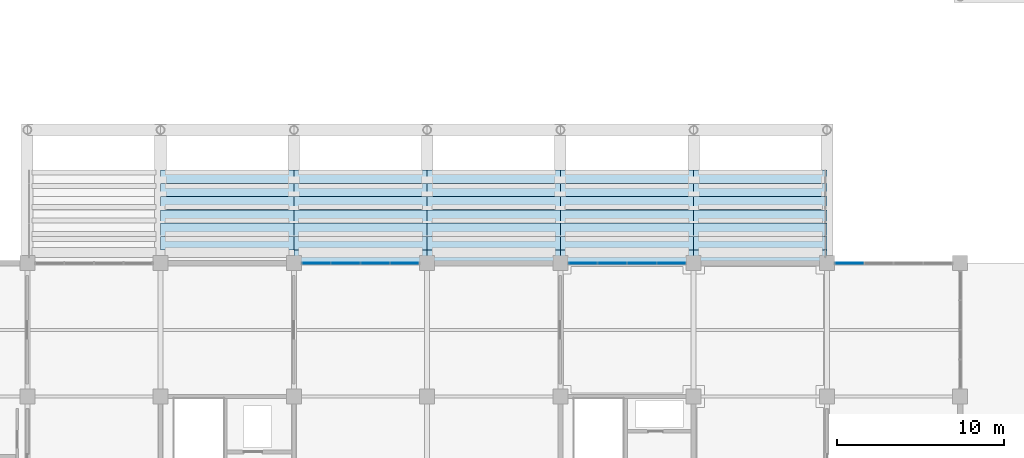
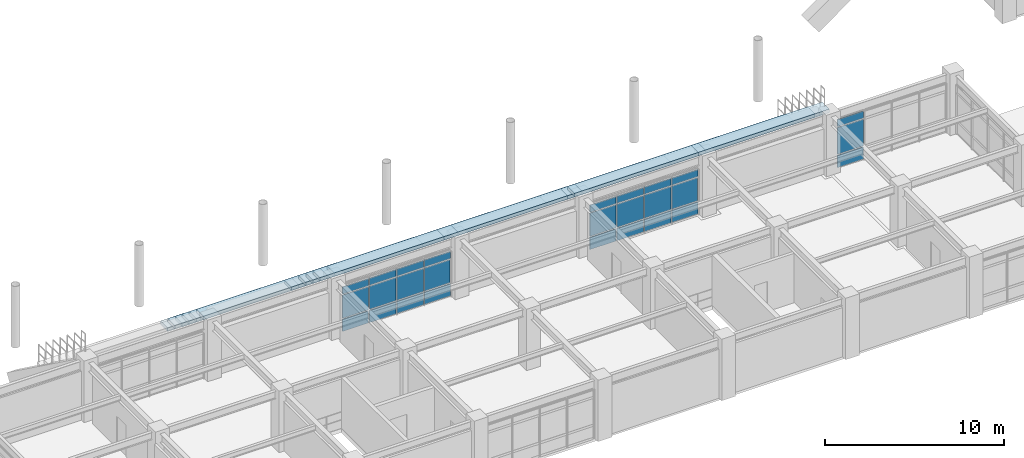
# One storey, part 67 of 118: 34 slabs, 27 plates, 3 elements without a shape of their own.
"""IFC4 building model written with IfcOpenShell, lengths in metres."""

from ifc_helpers import new_model, si_unit, direction, frame, origin, origin_2d, place, context, subcontext, project, spatial, polyline, rectangle, outline, extrude, material, layer, layer_set, type_object, element, aggregate, save


model = new_model("IFC4")

# Units and contexts
model_context = context("Model", 3, precision=1e-05, world=origin(), true_north=direction((0.0, 1.0)))
body_context = subcontext(model_context, "Body", "Model", "MODEL_VIEW")
ifc_project = project(units=[si_unit("LENGTHUNIT", "METRE"), si_unit("AREAUNIT", "SQUARE_METRE"), si_unit("VOLUMEUNIT", "CUBIC_METRE"), si_unit("PLANEANGLEUNIT", "RADIAN"), si_unit("MASSUNIT", "GRAM", prefix="KILO")], contexts=[model_context])

# Site, building, storey
site_placement = place(None, origin())
site = spatial("IfcSite", under=ifc_project, at=site_placement, CompositionType="ELEMENT")
building_placement = place(site_placement, origin())
building = spatial("IfcBuilding", under=site, at=building_placement, Name="Haebicheon Civic Stadium", CompositionType="ELEMENT")
storey_placement = place(building_placement, frame((0.0, 0.0, 14.39990234375)))
storey = spatial("IfcBuildingStorey", under=building, at=storey_placement, Name="L04", CompositionType="ELEMENT", Elevation=14.39990234375)

# Curtain wall, plates
ifc_material_1 = material(Name="Anodised aluminium and laminated glass", Category="aluminium")
ifc_layer_1 = layer(ifc_material_1, 0.179931640625, Name="Anodised aluminium and laminated glass")
ifc_layer_set_1 = layer_set([ifc_layer_1], Name="Anodised aluminium and laminated glass")
curtain_wall_type_1 = type_object("IfcCurtainWallType", Name="CW-7100x3100", PredefinedType="NOTDEFINED", material=ifc_layer_set_1)
curtain_wall_1_placement = place(storey_placement, origin())
curtain_wall_1 = element("IfcCurtainWall", 1, at=curtain_wall_1_placement, inside=storey, type_object=curtain_wall_type_1, material=ifc_layer_set_1, Name="L04 unitised curtain wall 133", PredefinedType="NOTDEFINED")
ifc_material_2 = material(Name="Double low-e acoustic laminated glass", Category="glass")
ifc_layer_2 = layer(ifc_material_2, 0.035888671875, Name="Double low-e acoustic laminated glass")
ifc_layer_set_2 = layer_set([ifc_layer_2], Name="Double low-e acoustic laminated glass")
plate_type_1 = type_object("IfcPlateType", Name="CWP-GLZ-36", PredefinedType="CURTAIN_PANEL", material=ifc_layer_set_2)
plate_1_placement = place(storey_placement, frame((97.35498046875, 32.0, 0.93505859375), z_axis=(0.0, 0.0, 1.0), x_axis=(1.0, 0.0, 0.0)))
plate_1 = element("IfcPlate", 2, at=plate_1_placement, type_object=plate_type_1, material=ifc_layer_set_2, Name="CW-L04-133 vision panel 1.2", PredefinedType="CURTAIN_PANEL", context=body_context, shape_type="SweptSolid", body=[
    extrude(rectangle(XDim=1.669921875, YDim=0.035888671875, at=origin_2d()), origin(), (0.0, 0.0, 1.0), 1.580078125),
])
plate_2_placement = place(storey_placement, frame((99.112060546875, 32.0, 0.93505859375), z_axis=(0.0, 0.0, 1.0), x_axis=(1.0, 0.0, 0.0)))
plate_2 = element("IfcPlate", 3, at=plate_2_placement, type_object=plate_type_1, material=ifc_layer_set_2, Name="CW-L04-133 vision panel 2.2", PredefinedType="CURTAIN_PANEL", context=body_context, shape_type="SweptSolid", body=[
    extrude(rectangle(XDim=1.705078125, YDim=0.035888671875, at=origin_2d()), origin(), (0.0, 0.0, 1.0), 1.580078125),
])
plate_3_placement = place(storey_placement, frame((100.887939453125, 32.0, 0.93505859375), z_axis=(0.0, 0.0, 1.0), x_axis=(1.0, 0.0, 0.0)))
plate_3 = element("IfcPlate", 4, at=plate_3_placement, type_object=plate_type_1, material=ifc_layer_set_2, Name="CW-L04-133 vision panel 3.2", PredefinedType="CURTAIN_PANEL", context=body_context, shape_type="SweptSolid", body=[
    extrude(rectangle(XDim=1.705078125, YDim=0.035888671875, at=origin_2d()), origin(), (0.0, 0.0, 1.0), 1.580078125),
])
plate_4_placement = place(storey_placement, frame((102.64501953125, 32.0, 0.93505859375), z_axis=(0.0, 0.0, 1.0), x_axis=(1.0, 0.0, 0.0)))
plate_4 = element("IfcPlate", 5, at=plate_4_placement, type_object=plate_type_1, material=ifc_layer_set_2, Name="CW-L04-133 vision panel 4.2", PredefinedType="CURTAIN_PANEL", context=body_context, shape_type="SweptSolid", body=[
    extrude(rectangle(XDim=1.669921875, YDim=0.035888671875, at=origin_2d()), origin(), (0.0, 0.0, 1.0), 1.580078125),
])

curtain_wall_2_placement = place(storey_placement, origin())
curtain_wall_2 = element("IfcCurtainWall", 6, at=curtain_wall_2_placement, inside=storey, type_object=curtain_wall_type_1, material=ifc_layer_set_1, Name="L04 unitised curtain wall 136", PredefinedType="NOTDEFINED")
plate_5_placement = place(storey_placement, frame((113.35498046875, 32.0, 0.93505859375), z_axis=(0.0, 0.0, 1.0), x_axis=(1.0, 0.0, 0.0)))
plate_5 = element("IfcPlate", 7, at=plate_5_placement, type_object=plate_type_1, material=ifc_layer_set_2, Name="CW-L04-136 vision panel 1.2", PredefinedType="CURTAIN_PANEL", context=body_context, shape_type="SweptSolid", body=[
    extrude(rectangle(XDim=1.669921875, YDim=0.035888671875, at=origin_2d()), origin(), (0.0, 0.0, 1.0), 1.580078125),
])
plate_6_placement = place(storey_placement, frame((115.112060546875, 32.0, 0.93505859375), z_axis=(0.0, 0.0, 1.0), x_axis=(1.0, 0.0, 0.0)))
plate_6 = element("IfcPlate", 8, at=plate_6_placement, type_object=plate_type_1, material=ifc_layer_set_2, Name="CW-L04-136 vision panel 2.2", PredefinedType="CURTAIN_PANEL", context=body_context, shape_type="SweptSolid", body=[
    extrude(rectangle(XDim=1.705078125, YDim=0.035888671875, at=origin_2d()), origin(), (0.0, 0.0, 1.0), 1.580078125),
])
plate_7_placement = place(storey_placement, frame((116.887939453125, 32.0, 0.93505859375), z_axis=(0.0, 0.0, 1.0), x_axis=(1.0, 0.0, 0.0)))
plate_7 = element("IfcPlate", 9, at=plate_7_placement, type_object=plate_type_1, material=ifc_layer_set_2, Name="CW-L04-136 vision panel 3.2", PredefinedType="CURTAIN_PANEL", context=body_context, shape_type="SweptSolid", body=[
    extrude(rectangle(XDim=1.705078125, YDim=0.035888671875, at=origin_2d()), origin(), (0.0, 0.0, 1.0), 1.580078125),
])
plate_8_placement = place(storey_placement, frame((118.64501953125, 32.0, 0.93505859375), z_axis=(0.0, 0.0, 1.0), x_axis=(1.0, 0.0, 0.0)))
plate_8 = element("IfcPlate", 10, at=plate_8_placement, type_object=plate_type_1, material=ifc_layer_set_2, Name="CW-L04-136 vision panel 4.2", PredefinedType="CURTAIN_PANEL", context=body_context, shape_type="SweptSolid", body=[
    extrude(rectangle(XDim=1.669921875, YDim=0.035888671875, at=origin_2d()), origin(), (0.0, 0.0, 1.0), 1.580078125),
])

# Curtain wall, plate
ifc_material_3 = material(Name="Anodised aluminium and laminated glass", Category="aluminium")
ifc_layer_3 = layer(ifc_material_3, 0.179931640625, Name="Anodised aluminium and laminated glass")
ifc_layer_set_3 = layer_set([ifc_layer_3], Name="Anodised aluminium and laminated glass")
curtain_wall_type_2 = type_object("IfcCurtainWallType", Name="CW-7100x3346", PredefinedType="NOTDEFINED", material=ifc_layer_set_3)
curtain_wall_3_placement = place(storey_placement, origin())
curtain_wall_3 = element("IfcCurtainWall", 11, at=curtain_wall_3_placement, inside=storey, type_object=curtain_wall_type_2, material=ifc_layer_set_3, Name="L04 unitised curtain wall 140", PredefinedType="NOTDEFINED")
plate_9_placement = place(storey_placement, frame((129.35498046875, 32.0, 0.93505859375), z_axis=(0.0, 0.0, 1.0), x_axis=(1.0, 0.0, 0.0)))
plate_9 = element("IfcPlate", 12, at=plate_9_placement, type_object=plate_type_1, material=ifc_layer_set_2, Name="CW-L04-140 vision panel 1.2", PredefinedType="CURTAIN_PANEL", context=body_context, shape_type="SweptSolid", body=[
    extrude(rectangle(XDim=1.669921875, YDim=0.035888671875, at=origin_2d()), origin(), (0.0, 0.0, 1.0), 1.825927734375),
])

# Plate
ifc_material_4 = material(Name="Anodised aluminium 6063-T6", Category="aluminium")
ifc_layer_4 = layer(ifc_material_4, 0.053955078125, Name="Anodised aluminium 6063-T6")
ifc_layer_set_4 = layer_set([ifc_layer_4], Name="Anodised aluminium 6063-T6")
plate_type_2 = type_object("IfcPlateType", Name="CWP-SPD-54", PredefinedType="CURTAIN_PANEL", material=ifc_layer_set_4)
plate_10_placement = place(storey_placement, frame((97.35498046875, 32.0, 0.03515625), z_axis=(0.0, 0.0, 1.0), x_axis=(1.0, 0.0, 0.0)))
plate_10 = element("IfcPlate", 13, at=plate_10_placement, type_object=plate_type_2, material=ifc_layer_set_4, Name="CW-L04-133 spandrel panel 1.1", PredefinedType="CURTAIN_PANEL", context=body_context, shape_type="SweptSolid", body=[
    extrude(rectangle(XDim=1.669921875, YDim=0.053955078125, at=origin_2d()), origin(), (0.0, 0.0, 1.0), 0.830078125),
])

plate_11_placement = place(storey_placement, frame((97.35498046875, 32.0, 2.585205078125), z_axis=(0.0, 0.0, 1.0), x_axis=(1.0, 0.0, 0.0)))
plate_11 = element("IfcPlate", 14, at=plate_11_placement, type_object=plate_type_2, material=ifc_layer_set_4, Name="CW-L04-133 spandrel panel 1.3", PredefinedType="CURTAIN_PANEL", context=body_context, shape_type="SweptSolid", body=[
    extrude(rectangle(XDim=1.669921875, YDim=0.053955078125, at=origin_2d()), origin(), (0.0, 0.0, 1.0), 0.47998046875),
])

plate_12_placement = place(storey_placement, frame((99.112060546875, 32.0, 0.03515625), z_axis=(0.0, 0.0, 1.0), x_axis=(1.0, 0.0, 0.0)))
plate_12 = element("IfcPlate", 15, at=plate_12_placement, type_object=plate_type_2, material=ifc_layer_set_4, Name="CW-L04-133 spandrel panel 2.1", PredefinedType="CURTAIN_PANEL", context=body_context, shape_type="SweptSolid", body=[
    extrude(rectangle(XDim=1.705078125, YDim=0.053955078125, at=origin_2d()), origin(), (0.0, 0.0, 1.0), 0.830078125),
])

plate_13_placement = place(storey_placement, frame((99.112060546875, 32.0, 2.585205078125), z_axis=(0.0, 0.0, 1.0), x_axis=(1.0, 0.0, 0.0)))
plate_13 = element("IfcPlate", 16, at=plate_13_placement, type_object=plate_type_2, material=ifc_layer_set_4, Name="CW-L04-133 spandrel panel 2.3", PredefinedType="CURTAIN_PANEL", context=body_context, shape_type="SweptSolid", body=[
    extrude(rectangle(XDim=1.705078125, YDim=0.053955078125, at=origin_2d()), origin(), (0.0, 0.0, 1.0), 0.47998046875),
])

plate_14_placement = place(storey_placement, frame((100.887939453125, 32.0, 0.03515625), z_axis=(0.0, 0.0, 1.0), x_axis=(1.0, 0.0, 0.0)))
plate_14 = element("IfcPlate", 17, at=plate_14_placement, type_object=plate_type_2, material=ifc_layer_set_4, Name="CW-L04-133 spandrel panel 3.1", PredefinedType="CURTAIN_PANEL", context=body_context, shape_type="SweptSolid", body=[
    extrude(rectangle(XDim=1.705078125, YDim=0.053955078125, at=origin_2d()), origin(), (0.0, 0.0, 1.0), 0.830078125),
])

plate_15_placement = place(storey_placement, frame((100.887939453125, 32.0, 2.585205078125), z_axis=(0.0, 0.0, 1.0), x_axis=(1.0, 0.0, 0.0)))
plate_15 = element("IfcPlate", 18, at=plate_15_placement, type_object=plate_type_2, material=ifc_layer_set_4, Name="CW-L04-133 spandrel panel 3.3", PredefinedType="CURTAIN_PANEL", context=body_context, shape_type="SweptSolid", body=[
    extrude(rectangle(XDim=1.705078125, YDim=0.053955078125, at=origin_2d()), origin(), (0.0, 0.0, 1.0), 0.47998046875),
])

plate_16_placement = place(storey_placement, frame((102.64501953125, 32.0, 0.03515625), z_axis=(0.0, 0.0, 1.0), x_axis=(1.0, 0.0, 0.0)))
plate_16 = element("IfcPlate", 19, at=plate_16_placement, type_object=plate_type_2, material=ifc_layer_set_4, Name="CW-L04-133 spandrel panel 4.1", PredefinedType="CURTAIN_PANEL", context=body_context, shape_type="SweptSolid", body=[
    extrude(rectangle(XDim=1.669921875, YDim=0.053955078125, at=origin_2d()), origin(), (0.0, 0.0, 1.0), 0.830078125),
])

plate_17_placement = place(storey_placement, frame((102.64501953125, 32.0, 2.585205078125), z_axis=(0.0, 0.0, 1.0), x_axis=(1.0, 0.0, 0.0)))
plate_17 = element("IfcPlate", 20, at=plate_17_placement, type_object=plate_type_2, material=ifc_layer_set_4, Name="CW-L04-133 spandrel panel 4.3", PredefinedType="CURTAIN_PANEL", context=body_context, shape_type="SweptSolid", body=[
    extrude(rectangle(XDim=1.669921875, YDim=0.053955078125, at=origin_2d()), origin(), (0.0, 0.0, 1.0), 0.47998046875),
])

aggregate(curtain_wall_1, [plate_10, plate_1, plate_11, plate_12, plate_2, plate_13, plate_14, plate_3, plate_15, plate_16, plate_4, plate_17])

plate_18_placement = place(storey_placement, frame((113.35498046875, 32.0, 0.03515625), z_axis=(0.0, 0.0, 1.0), x_axis=(1.0, 0.0, 0.0)))
plate_18 = element("IfcPlate", 21, at=plate_18_placement, type_object=plate_type_2, material=ifc_layer_set_4, Name="CW-L04-136 spandrel panel 1.1", PredefinedType="CURTAIN_PANEL", context=body_context, shape_type="SweptSolid", body=[
    extrude(rectangle(XDim=1.669921875, YDim=0.053955078125, at=origin_2d()), origin(), (0.0, 0.0, 1.0), 0.830078125),
])

plate_19_placement = place(storey_placement, frame((113.35498046875, 32.0, 2.585205078125), z_axis=(0.0, 0.0, 1.0), x_axis=(1.0, 0.0, 0.0)))
plate_19 = element("IfcPlate", 22, at=plate_19_placement, type_object=plate_type_2, material=ifc_layer_set_4, Name="CW-L04-136 spandrel panel 1.3", PredefinedType="CURTAIN_PANEL", context=body_context, shape_type="SweptSolid", body=[
    extrude(rectangle(XDim=1.669921875, YDim=0.053955078125, at=origin_2d()), origin(), (0.0, 0.0, 1.0), 0.47998046875),
])

plate_20_placement = place(storey_placement, frame((115.112060546875, 32.0, 0.03515625), z_axis=(0.0, 0.0, 1.0), x_axis=(1.0, 0.0, 0.0)))
plate_20 = element("IfcPlate", 23, at=plate_20_placement, type_object=plate_type_2, material=ifc_layer_set_4, Name="CW-L04-136 spandrel panel 2.1", PredefinedType="CURTAIN_PANEL", context=body_context, shape_type="SweptSolid", body=[
    extrude(rectangle(XDim=1.705078125, YDim=0.053955078125, at=origin_2d()), origin(), (0.0, 0.0, 1.0), 0.830078125),
])

plate_21_placement = place(storey_placement, frame((115.112060546875, 32.0, 2.585205078125), z_axis=(0.0, 0.0, 1.0), x_axis=(1.0, 0.0, 0.0)))
plate_21 = element("IfcPlate", 24, at=plate_21_placement, type_object=plate_type_2, material=ifc_layer_set_4, Name="CW-L04-136 spandrel panel 2.3", PredefinedType="CURTAIN_PANEL", context=body_context, shape_type="SweptSolid", body=[
    extrude(rectangle(XDim=1.705078125, YDim=0.053955078125, at=origin_2d()), origin(), (0.0, 0.0, 1.0), 0.47998046875),
])

plate_22_placement = place(storey_placement, frame((116.887939453125, 32.0, 0.03515625), z_axis=(0.0, 0.0, 1.0), x_axis=(1.0, 0.0, 0.0)))
plate_22 = element("IfcPlate", 25, at=plate_22_placement, type_object=plate_type_2, material=ifc_layer_set_4, Name="CW-L04-136 spandrel panel 3.1", PredefinedType="CURTAIN_PANEL", context=body_context, shape_type="SweptSolid", body=[
    extrude(rectangle(XDim=1.705078125, YDim=0.053955078125, at=origin_2d()), origin(), (0.0, 0.0, 1.0), 0.830078125),
])

plate_23_placement = place(storey_placement, frame((116.887939453125, 32.0, 2.585205078125), z_axis=(0.0, 0.0, 1.0), x_axis=(1.0, 0.0, 0.0)))
plate_23 = element("IfcPlate", 26, at=plate_23_placement, type_object=plate_type_2, material=ifc_layer_set_4, Name="CW-L04-136 spandrel panel 3.3", PredefinedType="CURTAIN_PANEL", context=body_context, shape_type="SweptSolid", body=[
    extrude(rectangle(XDim=1.705078125, YDim=0.053955078125, at=origin_2d()), origin(), (0.0, 0.0, 1.0), 0.47998046875),
])

plate_24_placement = place(storey_placement, frame((118.64501953125, 32.0, 0.03515625), z_axis=(0.0, 0.0, 1.0), x_axis=(1.0, 0.0, 0.0)))
plate_24 = element("IfcPlate", 27, at=plate_24_placement, type_object=plate_type_2, material=ifc_layer_set_4, Name="CW-L04-136 spandrel panel 4.1", PredefinedType="CURTAIN_PANEL", context=body_context, shape_type="SweptSolid", body=[
    extrude(rectangle(XDim=1.669921875, YDim=0.053955078125, at=origin_2d()), origin(), (0.0, 0.0, 1.0), 0.830078125),
])

plate_25_placement = place(storey_placement, frame((118.64501953125, 32.0, 2.585205078125), z_axis=(0.0, 0.0, 1.0), x_axis=(1.0, 0.0, 0.0)))
plate_25 = element("IfcPlate", 28, at=plate_25_placement, type_object=plate_type_2, material=ifc_layer_set_4, Name="CW-L04-136 spandrel panel 4.3", PredefinedType="CURTAIN_PANEL", context=body_context, shape_type="SweptSolid", body=[
    extrude(rectangle(XDim=1.669921875, YDim=0.053955078125, at=origin_2d()), origin(), (0.0, 0.0, 1.0), 0.47998046875),
])

aggregate(curtain_wall_2, [plate_18, plate_5, plate_19, plate_20, plate_6, plate_21, plate_22, plate_7, plate_23, plate_24, plate_8, plate_25])

plate_26_placement = place(storey_placement, frame((129.35498046875, 32.0, 0.03515625), z_axis=(0.0, 0.0, 1.0), x_axis=(1.0, 0.0, 0.0)))
plate_26 = element("IfcPlate", 29, at=plate_26_placement, type_object=plate_type_2, material=ifc_layer_set_4, Name="CW-L04-140 spandrel panel 1.1", PredefinedType="CURTAIN_PANEL", context=body_context, shape_type="SweptSolid", body=[
    extrude(rectangle(XDim=1.669921875, YDim=0.053955078125, at=origin_2d()), origin(), (0.0, 0.0, 1.0), 0.830078125),
])

plate_27_placement = place(storey_placement, frame((129.35498046875, 32.0, 2.8310546875), z_axis=(0.0, 0.0, 1.0), x_axis=(1.0, 0.0, 0.0)))
plate_27 = element("IfcPlate", 30, at=plate_27_placement, type_object=plate_type_2, material=ifc_layer_set_4, Name="CW-L04-140 spandrel panel 1.3", PredefinedType="CURTAIN_PANEL", context=body_context, shape_type="SweptSolid", body=[
    extrude(rectangle(XDim=1.669921875, YDim=0.053955078125, at=origin_2d()), origin(), (0.0, 0.0, 1.0), 0.47998046875),
])

aggregate(curtain_wall_3, [plate_26, plate_9, plate_27])

# Slabs
ifc_material_5 = material(Name="Precast concrete C40/50", Category="concrete")
ifc_layer_5 = layer(ifc_material_5, 0.239990234375, Name="Precast concrete C40/50")
ifc_layer_set_5 = layer_set([ifc_layer_5], Name="Precast concrete C40/50")
slab_type = type_object("IfcSlabType", Name="SLB-TIER-240", PredefinedType="USERDEFINED", material=ifc_layer_set_5)
slab_1_placement = place(storey_placement, frame((0.0, 0.0, 0.093017578125)))
element("IfcSlab", 31, at=slab_1_placement, inside=storey, type_object=slab_type, material=ifc_layer_set_5, Name="TIER-S-U precast seating tier bay 2 row-band 4", ObjectType="SEATING TIER", PredefinedType="USERDEFINED", context=body_context, shape_type="SweptSolid", body=[
    extrude(outline(polyline([(88.0, 36.800048828125), (96.0, 36.800048828125), (96.0, 37.60009765625), (88.0, 37.60009765625), (88.0, 36.800048828125)])), origin(), (0.0, 0.0, 1.0), 0.239990234375),
])
slab_2_placement = place(storey_placement, frame((0.0, 0.0, 0.738037109375)))
element("IfcSlab", 32, at=slab_2_placement, inside=storey, type_object=slab_type, material=ifc_layer_set_5, Name="TIER-S-U precast seating tier bay 2 row-band 5", ObjectType="SEATING TIER", PredefinedType="USERDEFINED", context=body_context, shape_type="SweptSolid", body=[
    extrude(outline(polyline([(88.0, 36.0), (96.0, 36.0), (96.0, 36.800048828125), (88.0, 36.800048828125), (88.0, 36.0)])), origin(), (0.0, 0.0, 1.0), 0.239990234375),
])
slab_3_placement = place(storey_placement, frame((0.0, 0.0, 1.382080078125)))
element("IfcSlab", 33, at=slab_3_placement, inside=storey, type_object=slab_type, material=ifc_layer_set_5, Name="TIER-S-U precast seating tier bay 2 row-band 6", ObjectType="SEATING TIER", PredefinedType="USERDEFINED", context=body_context, shape_type="SweptSolid", body=[
    extrude(outline(polyline([(88.0, 35.199951171875), (96.0, 35.199951171875), (96.0, 36.0), (88.0, 36.0), (88.0, 35.199951171875)])), origin(), (0.0, 0.0, 1.0), 0.239990234375),
])
slab_4_placement = place(storey_placement, frame((0.0, 0.0, 2.027099609375)))
element("IfcSlab", 34, at=slab_4_placement, inside=storey, type_object=slab_type, material=ifc_layer_set_5, Name="TIER-S-U precast seating tier bay 2 row-band 7", ObjectType="SEATING TIER", PredefinedType="USERDEFINED", context=body_context, shape_type="SweptSolid", body=[
    extrude(outline(polyline([(88.0, 34.39990234375), (96.0, 34.39990234375), (96.0, 35.199951171875), (88.0, 35.199951171875), (88.0, 34.39990234375)])), origin(), (0.0, 0.0, 1.0), 0.239990234375),
])
slab_5_placement = place(storey_placement, frame((0.0, 0.0, 2.671142578125)))
element("IfcSlab", 35, at=slab_5_placement, inside=storey, type_object=slab_type, material=ifc_layer_set_5, Name="TIER-S-U precast seating tier bay 2 row-band 8", ObjectType="SEATING TIER", PredefinedType="USERDEFINED", context=body_context, shape_type="SweptSolid", body=[
    extrude(outline(polyline([(88.0, 33.60009765625), (96.0, 33.60009765625), (96.0, 34.39990234375), (88.0, 34.39990234375), (88.0, 33.60009765625)])), origin(), (0.0, 0.0, 1.0), 0.239990234375),
])
slab_6_placement = place(storey_placement, frame((0.0, 0.0, 3.316162109375)))
element("IfcSlab", 36, at=slab_6_placement, inside=storey, type_object=slab_type, material=ifc_layer_set_5, Name="TIER-S-U precast seating tier bay 2 row-band 9", ObjectType="SEATING TIER", PredefinedType="USERDEFINED", context=body_context, shape_type="SweptSolid", body=[
    extrude(outline(polyline([(88.0, 32.800048828125), (96.0, 32.800048828125), (96.0, 33.60009765625), (88.0, 33.60009765625), (88.0, 32.800048828125)])), origin(), (0.0, 0.0, 1.0), 0.239990234375),
])
slab_7_placement = place(storey_placement, frame((0.0, 0.0, 0.093017578125)))
element("IfcSlab", 37, at=slab_7_placement, inside=storey, type_object=slab_type, material=ifc_layer_set_5, Name="TIER-S-U precast seating tier bay 3 row-band 4", ObjectType="SEATING TIER", PredefinedType="USERDEFINED", context=body_context, shape_type="SweptSolid", body=[
    extrude(outline(polyline([(96.0, 36.800048828125), (104.0, 36.800048828125), (104.0, 37.60009765625), (96.0, 37.60009765625), (96.0, 36.800048828125)])), origin(), (0.0, 0.0, 1.0), 0.239990234375),
])
slab_8_placement = place(storey_placement, frame((0.0, 0.0, 0.738037109375)))
element("IfcSlab", 38, at=slab_8_placement, inside=storey, type_object=slab_type, material=ifc_layer_set_5, Name="TIER-S-U precast seating tier bay 3 row-band 5", ObjectType="SEATING TIER", PredefinedType="USERDEFINED", context=body_context, shape_type="SweptSolid", body=[
    extrude(outline(polyline([(96.0, 36.0), (104.0, 36.0), (104.0, 36.800048828125), (96.0, 36.800048828125), (96.0, 36.0)])), origin(), (0.0, 0.0, 1.0), 0.239990234375),
])
slab_9_placement = place(storey_placement, frame((0.0, 0.0, 1.382080078125)))
element("IfcSlab", 39, at=slab_9_placement, inside=storey, type_object=slab_type, material=ifc_layer_set_5, Name="TIER-S-U precast seating tier bay 3 row-band 6", ObjectType="SEATING TIER", PredefinedType="USERDEFINED", context=body_context, shape_type="SweptSolid", body=[
    extrude(outline(polyline([(96.0, 35.199951171875), (104.0, 35.199951171875), (104.0, 36.0), (96.0, 36.0), (96.0, 35.199951171875)])), origin(), (0.0, 0.0, 1.0), 0.239990234375),
])
slab_10_placement = place(storey_placement, frame((0.0, 0.0, 2.027099609375)))
element("IfcSlab", 40, at=slab_10_placement, inside=storey, type_object=slab_type, material=ifc_layer_set_5, Name="TIER-S-U precast seating tier bay 3 row-band 7", ObjectType="SEATING TIER", PredefinedType="USERDEFINED", context=body_context, shape_type="SweptSolid", body=[
    extrude(outline(polyline([(96.0, 34.39990234375), (104.0, 34.39990234375), (104.0, 35.199951171875), (96.0, 35.199951171875), (96.0, 34.39990234375)])), origin(), (0.0, 0.0, 1.0), 0.239990234375),
])
slab_11_placement = place(storey_placement, frame((0.0, 0.0, 2.671142578125)))
element("IfcSlab", 41, at=slab_11_placement, inside=storey, type_object=slab_type, material=ifc_layer_set_5, Name="TIER-S-U precast seating tier bay 3 row-band 8", ObjectType="SEATING TIER", PredefinedType="USERDEFINED", context=body_context, shape_type="SweptSolid", body=[
    extrude(outline(polyline([(96.0, 33.60009765625), (104.0, 33.60009765625), (104.0, 34.39990234375), (96.0, 34.39990234375), (96.0, 33.60009765625)])), origin(), (0.0, 0.0, 1.0), 0.239990234375),
])
slab_12_placement = place(storey_placement, frame((0.0, 0.0, 3.316162109375)))
element("IfcSlab", 42, at=slab_12_placement, inside=storey, type_object=slab_type, material=ifc_layer_set_5, Name="TIER-S-U precast seating tier bay 3 row-band 9", ObjectType="SEATING TIER", PredefinedType="USERDEFINED", context=body_context, shape_type="SweptSolid", body=[
    extrude(outline(polyline([(96.0, 32.800048828125), (104.0, 32.800048828125), (104.0, 33.60009765625), (96.0, 33.60009765625), (96.0, 32.800048828125)])), origin(), (0.0, 0.0, 1.0), 0.239990234375),
])
slab_13_placement = place(storey_placement, frame((0.0, 0.0, 3.960205078125)))
element("IfcSlab", 43, at=slab_13_placement, inside=storey, type_object=slab_type, material=ifc_layer_set_5, Name="TIER-S-U precast seating tier bay 3 row-band 10", ObjectType="SEATING TIER", PredefinedType="USERDEFINED", context=body_context, shape_type="SweptSolid", body=[
    extrude(outline(polyline([(96.0, 32.0), (104.0, 32.0), (104.0, 32.800048828125), (96.0, 32.800048828125), (96.0, 32.0)])), origin(), (0.0, 0.0, 1.0), 0.239990234375),
])
slab_14_placement = place(storey_placement, frame((0.0, 0.0, 0.093017578125)))
element("IfcSlab", 44, at=slab_14_placement, inside=storey, type_object=slab_type, material=ifc_layer_set_5, Name="TIER-S-U precast seating tier bay 4 row-band 4", ObjectType="SEATING TIER", PredefinedType="USERDEFINED", context=body_context, shape_type="SweptSolid", body=[
    extrude(outline(polyline([(104.0, 36.800048828125), (112.0, 36.800048828125), (112.0, 37.60009765625), (104.0, 37.60009765625), (104.0, 36.800048828125)])), origin(), (0.0, 0.0, 1.0), 0.239990234375),
])
slab_15_placement = place(storey_placement, frame((0.0, 0.0, 0.738037109375)))
element("IfcSlab", 45, at=slab_15_placement, inside=storey, type_object=slab_type, material=ifc_layer_set_5, Name="TIER-S-U precast seating tier bay 4 row-band 5", ObjectType="SEATING TIER", PredefinedType="USERDEFINED", context=body_context, shape_type="SweptSolid", body=[
    extrude(outline(polyline([(104.0, 36.0), (112.0, 36.0), (112.0, 36.800048828125), (104.0, 36.800048828125), (104.0, 36.0)])), origin(), (0.0, 0.0, 1.0), 0.239990234375),
])
slab_16_placement = place(storey_placement, frame((0.0, 0.0, 1.382080078125)))
element("IfcSlab", 46, at=slab_16_placement, inside=storey, type_object=slab_type, material=ifc_layer_set_5, Name="TIER-S-U precast seating tier bay 4 row-band 6", ObjectType="SEATING TIER", PredefinedType="USERDEFINED", context=body_context, shape_type="SweptSolid", body=[
    extrude(outline(polyline([(104.0, 35.199951171875), (112.0, 35.199951171875), (112.0, 36.0), (104.0, 36.0), (104.0, 35.199951171875)])), origin(), (0.0, 0.0, 1.0), 0.239990234375),
])
slab_17_placement = place(storey_placement, frame((0.0, 0.0, 2.027099609375)))
element("IfcSlab", 47, at=slab_17_placement, inside=storey, type_object=slab_type, material=ifc_layer_set_5, Name="TIER-S-U precast seating tier bay 4 row-band 7", ObjectType="SEATING TIER", PredefinedType="USERDEFINED", context=body_context, shape_type="SweptSolid", body=[
    extrude(outline(polyline([(104.0, 34.39990234375), (112.0, 34.39990234375), (112.0, 35.199951171875), (104.0, 35.199951171875), (104.0, 34.39990234375)])), origin(), (0.0, 0.0, 1.0), 0.239990234375),
])
slab_18_placement = place(storey_placement, frame((0.0, 0.0, 2.671142578125)))
element("IfcSlab", 48, at=slab_18_placement, inside=storey, type_object=slab_type, material=ifc_layer_set_5, Name="TIER-S-U precast seating tier bay 4 row-band 8", ObjectType="SEATING TIER", PredefinedType="USERDEFINED", context=body_context, shape_type="SweptSolid", body=[
    extrude(outline(polyline([(104.0, 33.60009765625), (112.0, 33.60009765625), (112.0, 34.39990234375), (104.0, 34.39990234375), (104.0, 33.60009765625)])), origin(), (0.0, 0.0, 1.0), 0.239990234375),
])
slab_19_placement = place(storey_placement, frame((0.0, 0.0, 3.316162109375)))
element("IfcSlab", 49, at=slab_19_placement, inside=storey, type_object=slab_type, material=ifc_layer_set_5, Name="TIER-S-U precast seating tier bay 4 row-band 9", ObjectType="SEATING TIER", PredefinedType="USERDEFINED", context=body_context, shape_type="SweptSolid", body=[
    extrude(outline(polyline([(104.0, 32.800048828125), (112.0, 32.800048828125), (112.0, 33.60009765625), (104.0, 33.60009765625), (104.0, 32.800048828125)])), origin(), (0.0, 0.0, 1.0), 0.239990234375),
])
slab_20_placement = place(storey_placement, frame((0.0, 0.0, 3.960205078125)))
element("IfcSlab", 50, at=slab_20_placement, inside=storey, type_object=slab_type, material=ifc_layer_set_5, Name="TIER-S-U precast seating tier bay 4 row-band 10", ObjectType="SEATING TIER", PredefinedType="USERDEFINED", context=body_context, shape_type="SweptSolid", body=[
    extrude(outline(polyline([(104.0, 32.0), (112.0, 32.0), (112.0, 32.800048828125), (104.0, 32.800048828125), (104.0, 32.0)])), origin(), (0.0, 0.0, 1.0), 0.239990234375),
])
slab_21_placement = place(storey_placement, frame((0.0, 0.0, 0.093017578125)))
element("IfcSlab", 51, at=slab_21_placement, inside=storey, type_object=slab_type, material=ifc_layer_set_5, Name="TIER-S-U precast seating tier bay 5 row-band 4", ObjectType="SEATING TIER", PredefinedType="USERDEFINED", context=body_context, shape_type="SweptSolid", body=[
    extrude(outline(polyline([(112.0, 36.800048828125), (120.0, 36.800048828125), (120.0, 37.60009765625), (112.0, 37.60009765625), (112.0, 36.800048828125)])), origin(), (0.0, 0.0, 1.0), 0.239990234375),
])
slab_22_placement = place(storey_placement, frame((0.0, 0.0, 0.738037109375)))
element("IfcSlab", 52, at=slab_22_placement, inside=storey, type_object=slab_type, material=ifc_layer_set_5, Name="TIER-S-U precast seating tier bay 5 row-band 5", ObjectType="SEATING TIER", PredefinedType="USERDEFINED", context=body_context, shape_type="SweptSolid", body=[
    extrude(outline(polyline([(112.0, 36.0), (120.0, 36.0), (120.0, 36.800048828125), (112.0, 36.800048828125), (112.0, 36.0)])), origin(), (0.0, 0.0, 1.0), 0.239990234375),
])
slab_23_placement = place(storey_placement, frame((0.0, 0.0, 1.382080078125)))
element("IfcSlab", 53, at=slab_23_placement, inside=storey, type_object=slab_type, material=ifc_layer_set_5, Name="TIER-S-U precast seating tier bay 5 row-band 6", ObjectType="SEATING TIER", PredefinedType="USERDEFINED", context=body_context, shape_type="SweptSolid", body=[
    extrude(outline(polyline([(112.0, 35.199951171875), (120.0, 35.199951171875), (120.0, 36.0), (112.0, 36.0), (112.0, 35.199951171875)])), origin(), (0.0, 0.0, 1.0), 0.239990234375),
])
slab_24_placement = place(storey_placement, frame((0.0, 0.0, 2.027099609375)))
element("IfcSlab", 54, at=slab_24_placement, inside=storey, type_object=slab_type, material=ifc_layer_set_5, Name="TIER-S-U precast seating tier bay 5 row-band 7", ObjectType="SEATING TIER", PredefinedType="USERDEFINED", context=body_context, shape_type="SweptSolid", body=[
    extrude(outline(polyline([(112.0, 34.39990234375), (120.0, 34.39990234375), (120.0, 35.199951171875), (112.0, 35.199951171875), (112.0, 34.39990234375)])), origin(), (0.0, 0.0, 1.0), 0.239990234375),
])
slab_25_placement = place(storey_placement, frame((0.0, 0.0, 2.671142578125)))
element("IfcSlab", 55, at=slab_25_placement, inside=storey, type_object=slab_type, material=ifc_layer_set_5, Name="TIER-S-U precast seating tier bay 5 row-band 8", ObjectType="SEATING TIER", PredefinedType="USERDEFINED", context=body_context, shape_type="SweptSolid", body=[
    extrude(outline(polyline([(112.0, 33.60009765625), (120.0, 33.60009765625), (120.0, 34.39990234375), (112.0, 34.39990234375), (112.0, 33.60009765625)])), origin(), (0.0, 0.0, 1.0), 0.239990234375),
])
slab_26_placement = place(storey_placement, frame((0.0, 0.0, 3.316162109375)))
element("IfcSlab", 56, at=slab_26_placement, inside=storey, type_object=slab_type, material=ifc_layer_set_5, Name="TIER-S-U precast seating tier bay 5 row-band 9", ObjectType="SEATING TIER", PredefinedType="USERDEFINED", context=body_context, shape_type="SweptSolid", body=[
    extrude(outline(polyline([(112.0, 32.800048828125), (120.0, 32.800048828125), (120.0, 33.60009765625), (112.0, 33.60009765625), (112.0, 32.800048828125)])), origin(), (0.0, 0.0, 1.0), 0.239990234375),
])
slab_27_placement = place(storey_placement, frame((0.0, 0.0, 3.960205078125)))
element("IfcSlab", 57, at=slab_27_placement, inside=storey, type_object=slab_type, material=ifc_layer_set_5, Name="TIER-S-U precast seating tier bay 5 row-band 10", ObjectType="SEATING TIER", PredefinedType="USERDEFINED", context=body_context, shape_type="SweptSolid", body=[
    extrude(outline(polyline([(112.0, 32.0), (120.0, 32.0), (120.0, 32.800048828125), (112.0, 32.800048828125), (112.0, 32.0)])), origin(), (0.0, 0.0, 1.0), 0.239990234375),
])
slab_28_placement = place(storey_placement, frame((0.0, 0.0, 0.093017578125)))
element("IfcSlab", 58, at=slab_28_placement, inside=storey, type_object=slab_type, material=ifc_layer_set_5, Name="TIER-S-U precast seating tier bay 6 row-band 4", ObjectType="SEATING TIER", PredefinedType="USERDEFINED", context=body_context, shape_type="SweptSolid", body=[
    extrude(outline(polyline([(120.0, 36.800048828125), (128.0, 36.800048828125), (128.0, 37.60009765625), (120.0, 37.60009765625), (120.0, 36.800048828125)])), origin(), (0.0, 0.0, 1.0), 0.239990234375),
])
slab_29_placement = place(storey_placement, frame((0.0, 0.0, 0.738037109375)))
element("IfcSlab", 59, at=slab_29_placement, inside=storey, type_object=slab_type, material=ifc_layer_set_5, Name="TIER-S-U precast seating tier bay 6 row-band 5", ObjectType="SEATING TIER", PredefinedType="USERDEFINED", context=body_context, shape_type="SweptSolid", body=[
    extrude(outline(polyline([(120.0, 36.0), (128.0, 36.0), (128.0, 36.800048828125), (120.0, 36.800048828125), (120.0, 36.0)])), origin(), (0.0, 0.0, 1.0), 0.239990234375),
])
slab_30_placement = place(storey_placement, frame((0.0, 0.0, 1.382080078125)))
element("IfcSlab", 60, at=slab_30_placement, inside=storey, type_object=slab_type, material=ifc_layer_set_5, Name="TIER-S-U precast seating tier bay 6 row-band 6", ObjectType="SEATING TIER", PredefinedType="USERDEFINED", context=body_context, shape_type="SweptSolid", body=[
    extrude(outline(polyline([(120.0, 35.199951171875), (128.0, 35.199951171875), (128.0, 36.0), (120.0, 36.0), (120.0, 35.199951171875)])), origin(), (0.0, 0.0, 1.0), 0.239990234375),
])
slab_31_placement = place(storey_placement, frame((0.0, 0.0, 2.027099609375)))
element("IfcSlab", 61, at=slab_31_placement, inside=storey, type_object=slab_type, material=ifc_layer_set_5, Name="TIER-S-U precast seating tier bay 6 row-band 7", ObjectType="SEATING TIER", PredefinedType="USERDEFINED", context=body_context, shape_type="SweptSolid", body=[
    extrude(outline(polyline([(120.0, 34.39990234375), (128.0, 34.39990234375), (128.0, 35.199951171875), (120.0, 35.199951171875), (120.0, 34.39990234375)])), origin(), (0.0, 0.0, 1.0), 0.239990234375),
])
slab_32_placement = place(storey_placement, frame((0.0, 0.0, 2.671142578125)))
element("IfcSlab", 62, at=slab_32_placement, inside=storey, type_object=slab_type, material=ifc_layer_set_5, Name="TIER-S-U precast seating tier bay 6 row-band 8", ObjectType="SEATING TIER", PredefinedType="USERDEFINED", context=body_context, shape_type="SweptSolid", body=[
    extrude(outline(polyline([(120.0, 33.60009765625), (128.0, 33.60009765625), (128.0, 34.39990234375), (120.0, 34.39990234375), (120.0, 33.60009765625)])), origin(), (0.0, 0.0, 1.0), 0.239990234375),
])
slab_33_placement = place(storey_placement, frame((0.0, 0.0, 3.316162109375)))
element("IfcSlab", 63, at=slab_33_placement, inside=storey, type_object=slab_type, material=ifc_layer_set_5, Name="TIER-S-U precast seating tier bay 6 row-band 9", ObjectType="SEATING TIER", PredefinedType="USERDEFINED", context=body_context, shape_type="SweptSolid", body=[
    extrude(outline(polyline([(120.0, 32.800048828125), (128.0, 32.800048828125), (128.0, 33.60009765625), (120.0, 33.60009765625), (120.0, 32.800048828125)])), origin(), (0.0, 0.0, 1.0), 0.239990234375),
])
slab_34_placement = place(storey_placement, frame((0.0, 0.0, 3.960205078125)))
element("IfcSlab", 64, at=slab_34_placement, inside=storey, type_object=slab_type, material=ifc_layer_set_5, Name="TIER-S-U precast seating tier bay 6 row-band 10", ObjectType="SEATING TIER", PredefinedType="USERDEFINED", context=body_context, shape_type="SweptSolid", body=[
    extrude(outline(polyline([(120.0, 32.0), (128.0, 32.0), (128.0, 32.800048828125), (120.0, 32.800048828125), (120.0, 32.0)])), origin(), (0.0, 0.0, 1.0), 0.239990234375),
])

save(model, "model.ifc")
